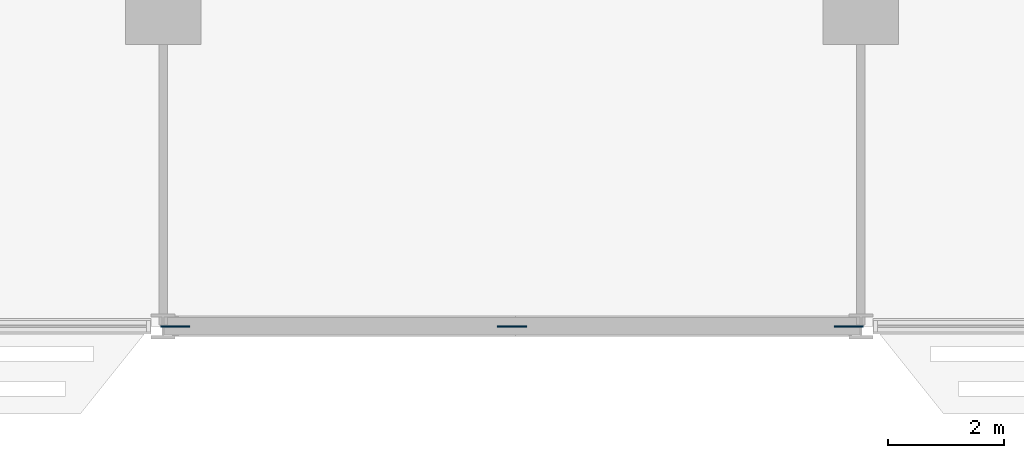
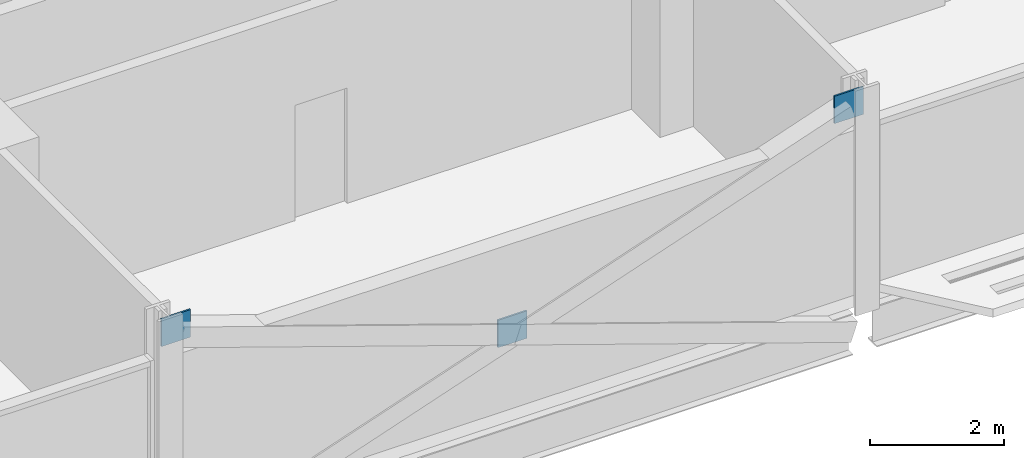
# One storey, part 21 of 29: 3 discrete accessories.
"""IFC4 building model written with IfcOpenShell, lengths in metres."""

from ifc_helpers import new_model, si_unit, direction, frame, origin, origin_2d, place, context, subcontext, project, spatial, rectangle, extrude, material, layer, layer_set, type_object, element, save


model = new_model("IFC4")

# Units and contexts
model_context = context("Model", 3, precision=1e-05, world=origin(), true_north=direction((0.0, 1.0)))
body_context = subcontext(model_context, "Body", "Model", "MODEL_VIEW")
ifc_project = project(units=[si_unit("LENGTHUNIT", "METRE"), si_unit("AREAUNIT", "SQUARE_METRE"), si_unit("VOLUMEUNIT", "CUBIC_METRE"), si_unit("PLANEANGLEUNIT", "RADIAN"), si_unit("MASSUNIT", "GRAM", prefix="KILO")], contexts=[model_context])

# Site, building, storey
site_placement = place(None, origin())
site = spatial("IfcSite", under=ifc_project, at=site_placement, CompositionType="ELEMENT")
building_placement = place(site_placement, origin())
building = spatial("IfcBuilding", under=site, at=building_placement, Name="Mahtab Terrace Research Tower", CompositionType="ELEMENT")
storey_placement = place(building_placement, frame((0.0, 0.0, 126.10009765625)))
storey = spatial("IfcBuildingStorey", under=building, at=storey_placement, Name="L29", CompositionType="ELEMENT", Elevation=126.10009765625)

# Discrete accessories
ifc_material = material(Name="Steel ASTM A992 Gr 50", Category="steel")
ifc_layer = layer(ifc_material, 0.030029296875)
ifc_layer_set = layer_set([ifc_layer], Name="Gusset plate 500x500x30")
discrete_accessory_type = type_object("IfcDiscreteAccessoryType", Name="Gusset plate 500x500x30", PredefinedType="USERDEFINED", material=ifc_layer_set)
for number, where, z_axis, x_axis, name in (
    (1, (-5.794189453125, -17.0, 3.13134765625), (0.0, 0.0, 1.0), (1.0, 0.0, 0.0), "Gusset plate"),
    (2, (0.0, -17.0, 1.081298828125), (0.0, 0.0, 1.0), (1.0, 0.0, 0.0), "Gusset plate"),
    (3, (5.794189453125, -17.0, 3.13134765625), (0.0, 0.0, 1.0), (1.0, 0.0, 0.0), "Gusset plate"),
):
    element("IfcDiscreteAccessory", number, at=place(storey_placement, frame(where, z_axis=z_axis, x_axis=x_axis)), inside=storey, type_object=discrete_accessory_type, Name=name, ObjectType="GUSSET PLATE", PredefinedType="USERDEFINED", context=body_context, shape_type="SweptSolid", body=[
        extrude(rectangle(XDim=0.5, YDim=0.030029296875, at=origin_2d()), origin(), (0.0, 0.0, 1.0), 0.5),
    ])

save(model, "model.ifc")
